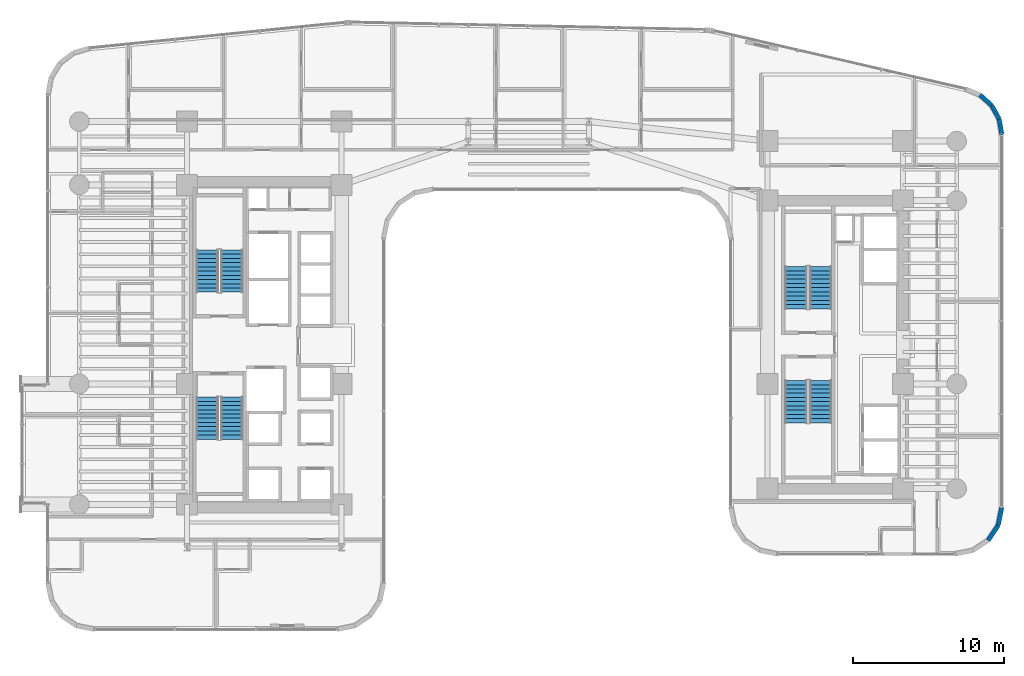
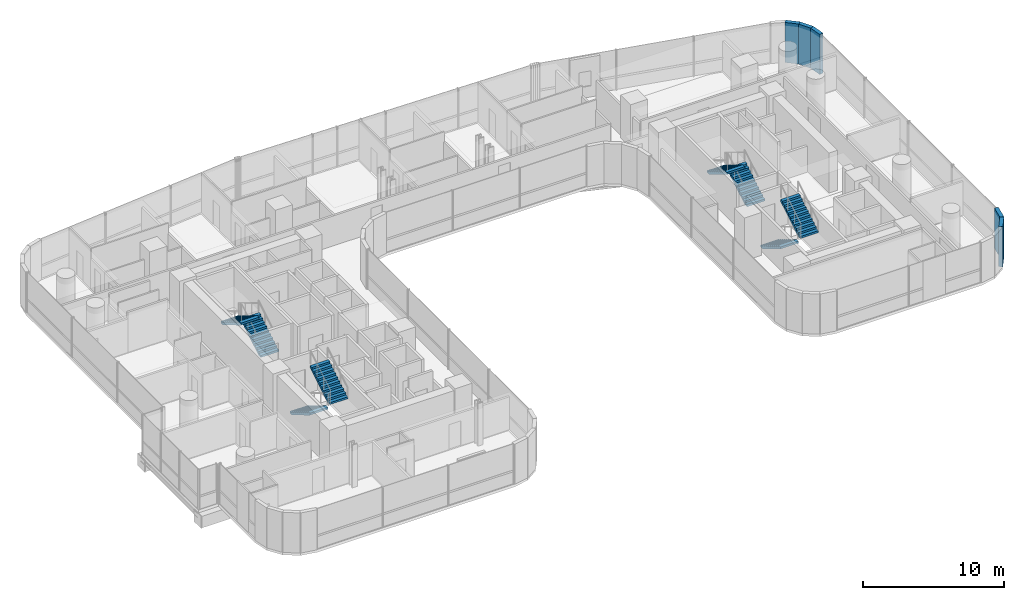
# One storey, part 35 of 41: 8 stair flights, 5 walls, 4 elements without a shape of their own.
"""IFC4 building model written with IfcOpenShell, lengths in metres."""

from ifc_helpers import new_model, si_unit, direction, frame, frame_2d, origin, place, context, subcontext, project, spatial, polyline, rectangle, outline, extrude, material, layer, layer_set, type_object, element, aggregate, save


model = new_model("IFC4")

# Units and contexts
model_context = context("Model", 3, precision=1e-05, world=origin(), true_north=direction((0.0, 1.0)))
body_context = subcontext(model_context, "Body", "Model", "MODEL_VIEW")
ifc_project = project(units=[si_unit("LENGTHUNIT", "METRE"), si_unit("AREAUNIT", "SQUARE_METRE"), si_unit("VOLUMEUNIT", "CUBIC_METRE"), si_unit("PLANEANGLEUNIT", "RADIAN"), si_unit("MASSUNIT", "GRAM", prefix="KILO")], contexts=[model_context])

# Site, building, storey
site_placement = place(None, origin())
site = spatial("IfcSite", under=ifc_project, at=site_placement, CompositionType="ELEMENT")
building_placement = place(site_placement, origin())
building = spatial("IfcBuilding", under=site, at=building_placement, Name="Valdorenza Pilgrim Sanctuary Tower", CompositionType="ELEMENT")
storey_placement = place(building_placement, frame((0.0, 0.0, 59.300048828125)))
storey = spatial("IfcBuildingStorey", under=building, at=storey_placement, Name="L14", CompositionType="ELEMENT", Elevation=59.300048828125)

# Walls
ifc_material_1 = material(Name="Honed travertine limestone", Category="masonry")
ifc_layer = layer(ifc_material_1, 0.300048828125, Name="Honed travertine limestone")
ifc_layer_set = layer_set([ifc_layer], Name="Honed travertine limestone")
wall_type = type_object("IfcWallType", Name="WAL-EXT-300", PredefinedType="SOLIDWALL", material=ifc_layer_set)
wall_1_placement = place(storey_placement, frame((29.947998046875, 16.56640625, 0.0), z_axis=(0.0, 0.0, 1.0), x_axis=(0.744585645533, -0.66752694063, 0.0)))
element("IfcWall", 1, at=wall_1_placement, inside=storey, type_object=wall_type, Name="L14 Rounded Wind-Corner Stone Pier 18", PredefinedType="SOLIDWALL", context=body_context, shape_type="SweptSolid", body=[
    extrude(rectangle(XDim=1.032958984375, YDim=0.300048828125, at=frame_2d((0.5166015625, 0.0))), origin(), (0.0, 0.0, 1.0), 3.4599609375),
])
wall_2_placement = place(storey_placement, frame((30.717041015625, 15.876953125, 0.0), z_axis=(0.0, 0.0, 1.0), x_axis=(0.482971098131, -0.875636293429, 0.0)))
element("IfcWall", 2, at=wall_2_placement, inside=storey, type_object=wall_type, Name="L14 Rounded Wind-Corner Stone Pier 19", PredefinedType="SOLIDWALL", context=body_context, shape_type="SweptSolid", body=[
    extrude(rectangle(XDim=1.03271484375, YDim=0.300048828125, at=frame_2d((0.516357421875, 0.0))), origin(), (0.0, 0.0, 1.0), 3.4599609375),
])
wall_3_placement = place(storey_placement, frame((31.2158203125, 14.97265625, 0.0), z_axis=(0.0, 0.0, 1.0), x_axis=(0.167019462117, -0.985953598946, 0.0)))
element("IfcWall", 3, at=wall_3_placement, inside=storey, type_object=wall_type, Name="L14 Rounded Wind-Corner Stone Pier 20", PredefinedType="SOLIDWALL", context=body_context, shape_type="SweptSolid", body=[
    extrude(rectangle(XDim=1.042236328125, YDim=0.300048828125, at=frame_2d((0.52099609375, 0.0))), origin(), (0.0, 0.0, 1.0), 3.4599609375),
])
wall_4_placement = place(storey_placement, frame((31.389892578125, -10.789306640625, 0.0), z_axis=(0.0, 0.0, 1.0), x_axis=(-0.194996050505, -0.980804027463, 0.0)))
element("IfcWall", 4, at=wall_4_placement, inside=storey, type_object=wall_type, Name="L14 Rounded Wind-Corner Stone Pier 22", PredefinedType="SOLIDWALL", context=body_context, shape_type="SweptSolid", body=[
    extrude(rectangle(XDim=1.2158203125, YDim=0.300048828125, at=frame_2d((0.60791015625, 0.0))), origin(), (0.0, 0.0, 1.0), 3.4599609375),
])
wall_5_placement = place(storey_placement, frame((31.15283203125, -11.981689453125, 0.0), z_axis=(0.0, 0.0, 1.0), x_axis=(-0.555635100982, -0.831426265255, 0.0)))
element("IfcWall", 5, at=wall_5_placement, inside=storey, type_object=wall_type, Name="L14 Rounded Wind-Corner Stone Pier 23", PredefinedType="SOLIDWALL", context=body_context, shape_type="SweptSolid", body=[
    extrude(rectangle(XDim=1.204833984375, YDim=0.300048828125, at=frame_2d((0.6025390625, 0.0))), origin(), (0.0, 0.0, 1.0), 3.4599609375),
])

# Stair, stair flights
ifc_material_2 = material(Name="Concrete C40/50", Category="concrete")
stair_type = type_object("IfcStairType", Name="STR-DOG-CORE", PredefinedType="HALF_TURN_STAIR", material=ifc_material_2)
stair_1_placement = place(storey_placement, origin())
stair_1 = element("IfcStair", 6, at=stair_1_placement, inside=storey, type_object=stair_type, Name="L14 ST-A1", PredefinedType="HALF_TURN_STAIR")
stair_flight_type = type_object("IfcStairFlightType", Name="STF-RC-1400", PredefinedType="STRAIGHT", material=ifc_material_2)
stair_flight_1_placement = place(storey_placement, frame((-19.679931640625, 3.47998046875, 0.0), z_axis=(0.0, 0.0, 1.0), x_axis=(0.0, 1.0, 0.0)))
stair_flight_1 = element("IfcStairFlight", 7, at=stair_flight_1_placement, type_object=stair_flight_type, Name="ST-A1 flight 1", NumberOfRisers=11, NumberOfTreads=10, PredefinedType="STRAIGHT", RiserHeight=0.168181818, TreadLength=0.28, context=body_context, shape_type="SweptSolid", body=[
    extrude(outline(polyline([(0.0, 0.0), (0.0, 0.168212890625), (0.280029296875, 0.168212890625), (0.280029296875, 0.33642578125), (0.56005859375, 0.33642578125), (0.56005859375, 0.504638671875), (0.840087890625, 0.504638671875), (0.840087890625, 0.672607421875), (1.1201171875, 0.672607421875), (1.1201171875, 0.8408203125), (1.39990234375, 0.8408203125), (1.39990234375, 1.009033203125), (1.679931640625, 1.009033203125), (1.679931640625, 1.17724609375), (1.9599609375, 1.17724609375), (1.9599609375, 1.345458984375), (2.239990234375, 1.345458984375), (2.239990234375, 1.513671875), (2.52001953125, 1.513671875), (2.52001953125, 1.681884765625), (2.800048828125, 1.681884765625), (2.800048828125, 1.85009765625), (2.800048828125, 1.5068359375), (0.291015625, 0.0), (0.0, 0.0)])), frame((0.0, 0.739990234375, 0.0), z_axis=(0.0, -1.0, 0.0), x_axis=(1.0, 0.0, 0.0)), (0.0, 0.0, 1.0), 1.47998046875),
])
stair_flight_2_placement = place(storey_placement, frame((-21.31005859375, 6.280029296875, 1.849853515625), z_axis=(0.0, 0.0, 1.0), x_axis=(0.0, -1.0, 0.0)))
stair_flight_2 = element("IfcStairFlight", 8, at=stair_flight_2_placement, type_object=stair_flight_type, Name="ST-A1 flight 2", NumberOfRisers=11, NumberOfTreads=10, PredefinedType="STRAIGHT", RiserHeight=0.168181818, TreadLength=0.28, context=body_context, shape_type="SweptSolid", body=[
    extrude(outline(polyline([(0.0, 0.0), (0.0, 0.168212890625), (0.280029296875, 0.168212890625), (0.280029296875, 0.33642578125), (0.56005859375, 0.33642578125), (0.56005859375, 0.504638671875), (0.840087890625, 0.504638671875), (0.840087890625, 0.672607421875), (1.1201171875, 0.672607421875), (1.1201171875, 0.8408203125), (1.39990234375, 0.8408203125), (1.39990234375, 1.009033203125), (1.679931640625, 1.009033203125), (1.679931640625, 1.17724609375), (1.9599609375, 1.17724609375), (1.9599609375, 1.345458984375), (2.239990234375, 1.345458984375), (2.239990234375, 1.513671875), (2.52001953125, 1.513671875), (2.52001953125, 1.681884765625), (2.800048828125, 1.681884765625), (2.800048828125, 1.85009765625), (2.800048828125, 1.5068359375), (0.291015625, 0.0), (0.0, 0.0)])), frame((0.0, 0.739990234375, 0.0), z_axis=(0.0, -1.0, 0.0), x_axis=(1.0, 0.0, 0.0)), (0.0, 0.0, 1.0), 1.47998046875),
])
aggregate(stair_1, [stair_flight_1, stair_flight_2])

stair_2_placement = place(storey_placement, origin())
stair_2 = element("IfcStair", 9, at=stair_2_placement, inside=storey, type_object=stair_type, Name="L14 ST-A2", PredefinedType="HALF_TURN_STAIR")
stair_flight_3_placement = place(storey_placement, frame((-21.31005859375, -3.47998046875, 0.0), z_axis=(0.0, 0.0, 1.0), x_axis=(0.0, -1.0, 0.0)))
stair_flight_3 = element("IfcStairFlight", 10, at=stair_flight_3_placement, type_object=stair_flight_type, Name="ST-A2 flight 1", NumberOfRisers=11, NumberOfTreads=10, PredefinedType="STRAIGHT", RiserHeight=0.168181818, TreadLength=0.28, context=body_context, shape_type="SweptSolid", body=[
    extrude(outline(polyline([(0.0, 0.0), (0.0, 0.168212890625), (0.280029296875, 0.168212890625), (0.280029296875, 0.33642578125), (0.56005859375, 0.33642578125), (0.56005859375, 0.504638671875), (0.840087890625, 0.504638671875), (0.840087890625, 0.672607421875), (1.1201171875, 0.672607421875), (1.1201171875, 0.8408203125), (1.39990234375, 0.8408203125), (1.39990234375, 1.009033203125), (1.679931640625, 1.009033203125), (1.679931640625, 1.17724609375), (1.9599609375, 1.17724609375), (1.9599609375, 1.345458984375), (2.239990234375, 1.345458984375), (2.239990234375, 1.513671875), (2.52001953125, 1.513671875), (2.52001953125, 1.681884765625), (2.800048828125, 1.681884765625), (2.800048828125, 1.85009765625), (2.800048828125, 1.5068359375), (0.291015625, 0.0), (0.0, 0.0)])), frame((0.0, 0.739990234375, 0.0), z_axis=(0.0, -1.0, 0.0), x_axis=(1.0, 0.0, 0.0)), (0.0, 0.0, 1.0), 1.47998046875),
])
stair_flight_4_placement = place(storey_placement, frame((-19.679931640625, -6.280029296875, 1.849853515625), z_axis=(0.0, 0.0, 1.0), x_axis=(0.0, 1.0, 0.0)))
stair_flight_4 = element("IfcStairFlight", 11, at=stair_flight_4_placement, type_object=stair_flight_type, Name="ST-A2 flight 2", NumberOfRisers=11, NumberOfTreads=10, PredefinedType="STRAIGHT", RiserHeight=0.168181818, TreadLength=0.28, context=body_context, shape_type="SweptSolid", body=[
    extrude(outline(polyline([(0.0, 0.0), (0.0, 0.168212890625), (0.280029296875, 0.168212890625), (0.280029296875, 0.33642578125), (0.56005859375, 0.33642578125), (0.56005859375, 0.504638671875), (0.840087890625, 0.504638671875), (0.840087890625, 0.672607421875), (1.1201171875, 0.672607421875), (1.1201171875, 0.8408203125), (1.39990234375, 0.8408203125), (1.39990234375, 1.009033203125), (1.679931640625, 1.009033203125), (1.679931640625, 1.17724609375), (1.9599609375, 1.17724609375), (1.9599609375, 1.345458984375), (2.239990234375, 1.345458984375), (2.239990234375, 1.513671875), (2.52001953125, 1.513671875), (2.52001953125, 1.681884765625), (2.800048828125, 1.681884765625), (2.800048828125, 1.85009765625), (2.800048828125, 1.5068359375), (0.291015625, 0.0), (0.0, 0.0)])), frame((0.0, 0.739990234375, 0.0), z_axis=(0.0, -1.0, 0.0), x_axis=(1.0, 0.0, 0.0)), (0.0, 0.0, 1.0), 1.47998046875),
])
aggregate(stair_2, [stair_flight_3, stair_flight_4])

stair_3_placement = place(storey_placement, origin())
stair_3 = element("IfcStair", 12, at=stair_3_placement, inside=storey, type_object=stair_type, Name="L14 ST-B1", PredefinedType="HALF_TURN_STAIR")
stair_flight_5_placement = place(storey_placement, frame((19.3701171875, 2.3798828125, 0.0), z_axis=(0.0, 0.0, 1.0), x_axis=(0.0, 1.0, 0.0)))
stair_flight_5 = element("IfcStairFlight", 13, at=stair_flight_5_placement, type_object=stair_flight_type, Name="ST-B1 flight 1", NumberOfRisers=11, NumberOfTreads=10, PredefinedType="STRAIGHT", RiserHeight=0.168181818, TreadLength=0.28, context=body_context, shape_type="SweptSolid", body=[
    extrude(outline(polyline([(0.0, 0.0), (0.0, 0.168212890625), (0.280029296875, 0.168212890625), (0.280029296875, 0.33642578125), (0.56005859375, 0.33642578125), (0.56005859375, 0.504638671875), (0.840087890625, 0.504638671875), (0.840087890625, 0.672607421875), (1.1201171875, 0.672607421875), (1.1201171875, 0.8408203125), (1.39990234375, 0.8408203125), (1.39990234375, 1.009033203125), (1.679931640625, 1.009033203125), (1.679931640625, 1.17724609375), (1.9599609375, 1.17724609375), (1.9599609375, 1.345458984375), (2.239990234375, 1.345458984375), (2.239990234375, 1.513671875), (2.52001953125, 1.513671875), (2.52001953125, 1.681884765625), (2.800048828125, 1.681884765625), (2.800048828125, 1.85009765625), (2.800048828125, 1.5068359375), (0.291015625, 0.0), (0.0, 0.0)])), frame((0.0, 0.739990234375, 0.0), z_axis=(0.0, -1.0, 0.0), x_axis=(1.0, 0.0, 0.0)), (0.0, 0.0, 1.0), 1.47998046875),
])
stair_flight_6_placement = place(storey_placement, frame((17.739990234375, 5.179931640625, 1.849853515625), z_axis=(0.0, 0.0, 1.0), x_axis=(0.0, -1.0, 0.0)))
stair_flight_6 = element("IfcStairFlight", 14, at=stair_flight_6_placement, type_object=stair_flight_type, Name="ST-B1 flight 2", NumberOfRisers=11, NumberOfTreads=10, PredefinedType="STRAIGHT", RiserHeight=0.168181818, TreadLength=0.28, context=body_context, shape_type="SweptSolid", body=[
    extrude(outline(polyline([(0.0, 0.0), (0.0, 0.168212890625), (0.280029296875, 0.168212890625), (0.280029296875, 0.33642578125), (0.56005859375, 0.33642578125), (0.56005859375, 0.504638671875), (0.840087890625, 0.504638671875), (0.840087890625, 0.672607421875), (1.1201171875, 0.672607421875), (1.1201171875, 0.8408203125), (1.39990234375, 0.8408203125), (1.39990234375, 1.009033203125), (1.679931640625, 1.009033203125), (1.679931640625, 1.17724609375), (1.9599609375, 1.17724609375), (1.9599609375, 1.345458984375), (2.239990234375, 1.345458984375), (2.239990234375, 1.513671875), (2.52001953125, 1.513671875), (2.52001953125, 1.681884765625), (2.800048828125, 1.681884765625), (2.800048828125, 1.85009765625), (2.800048828125, 1.5068359375), (0.291015625, 0.0), (0.0, 0.0)])), frame((0.0, 0.739990234375, 0.0), z_axis=(0.0, -1.0, 0.0), x_axis=(1.0, 0.0, 0.0)), (0.0, 0.0, 1.0), 1.47998046875),
])
aggregate(stair_3, [stair_flight_5, stair_flight_6])

stair_4_placement = place(storey_placement, origin())
stair_4 = element("IfcStair", 15, at=stair_4_placement, inside=storey, type_object=stair_type, Name="L14 ST-B2", PredefinedType="HALF_TURN_STAIR")
stair_flight_7_placement = place(storey_placement, frame((17.739990234375, -2.3798828125, 0.0), z_axis=(0.0, 0.0, 1.0), x_axis=(0.0, -1.0, 0.0)))
stair_flight_7 = element("IfcStairFlight", 16, at=stair_flight_7_placement, type_object=stair_flight_type, Name="ST-B2 flight 1", NumberOfRisers=11, NumberOfTreads=10, PredefinedType="STRAIGHT", RiserHeight=0.168181818, TreadLength=0.28, context=body_context, shape_type="SweptSolid", body=[
    extrude(outline(polyline([(0.0, 0.0), (0.0, 0.168212890625), (0.280029296875, 0.168212890625), (0.280029296875, 0.33642578125), (0.56005859375, 0.33642578125), (0.56005859375, 0.504638671875), (0.840087890625, 0.504638671875), (0.840087890625, 0.672607421875), (1.1201171875, 0.672607421875), (1.1201171875, 0.8408203125), (1.39990234375, 0.8408203125), (1.39990234375, 1.009033203125), (1.679931640625, 1.009033203125), (1.679931640625, 1.17724609375), (1.9599609375, 1.17724609375), (1.9599609375, 1.345458984375), (2.239990234375, 1.345458984375), (2.239990234375, 1.513671875), (2.52001953125, 1.513671875), (2.52001953125, 1.681884765625), (2.800048828125, 1.681884765625), (2.800048828125, 1.85009765625), (2.800048828125, 1.5068359375), (0.291015625, 0.0), (0.0, 0.0)])), frame((0.0, 0.739990234375, 0.0), z_axis=(0.0, -1.0, 0.0), x_axis=(1.0, 0.0, 0.0)), (0.0, 0.0, 1.0), 1.47998046875),
])
stair_flight_8_placement = place(storey_placement, frame((19.3701171875, -5.179931640625, 1.849853515625), z_axis=(0.0, 0.0, 1.0), x_axis=(0.0, 1.0, 0.0)))
stair_flight_8 = element("IfcStairFlight", 17, at=stair_flight_8_placement, type_object=stair_flight_type, Name="ST-B2 flight 2", NumberOfRisers=11, NumberOfTreads=10, PredefinedType="STRAIGHT", RiserHeight=0.168181818, TreadLength=0.28, context=body_context, shape_type="SweptSolid", body=[
    extrude(outline(polyline([(0.0, 0.0), (0.0, 0.168212890625), (0.280029296875, 0.168212890625), (0.280029296875, 0.33642578125), (0.56005859375, 0.33642578125), (0.56005859375, 0.504638671875), (0.840087890625, 0.504638671875), (0.840087890625, 0.672607421875), (1.1201171875, 0.672607421875), (1.1201171875, 0.8408203125), (1.39990234375, 0.8408203125), (1.39990234375, 1.009033203125), (1.679931640625, 1.009033203125), (1.679931640625, 1.17724609375), (1.9599609375, 1.17724609375), (1.9599609375, 1.345458984375), (2.239990234375, 1.345458984375), (2.239990234375, 1.513671875), (2.52001953125, 1.513671875), (2.52001953125, 1.681884765625), (2.800048828125, 1.681884765625), (2.800048828125, 1.85009765625), (2.800048828125, 1.5068359375), (0.291015625, 0.0), (0.0, 0.0)])), frame((0.0, 0.739990234375, 0.0), z_axis=(0.0, -1.0, 0.0), x_axis=(1.0, 0.0, 0.0)), (0.0, 0.0, 1.0), 1.47998046875),
])
aggregate(stair_4, [stair_flight_7, stair_flight_8])

save(model, "model.ifc")
